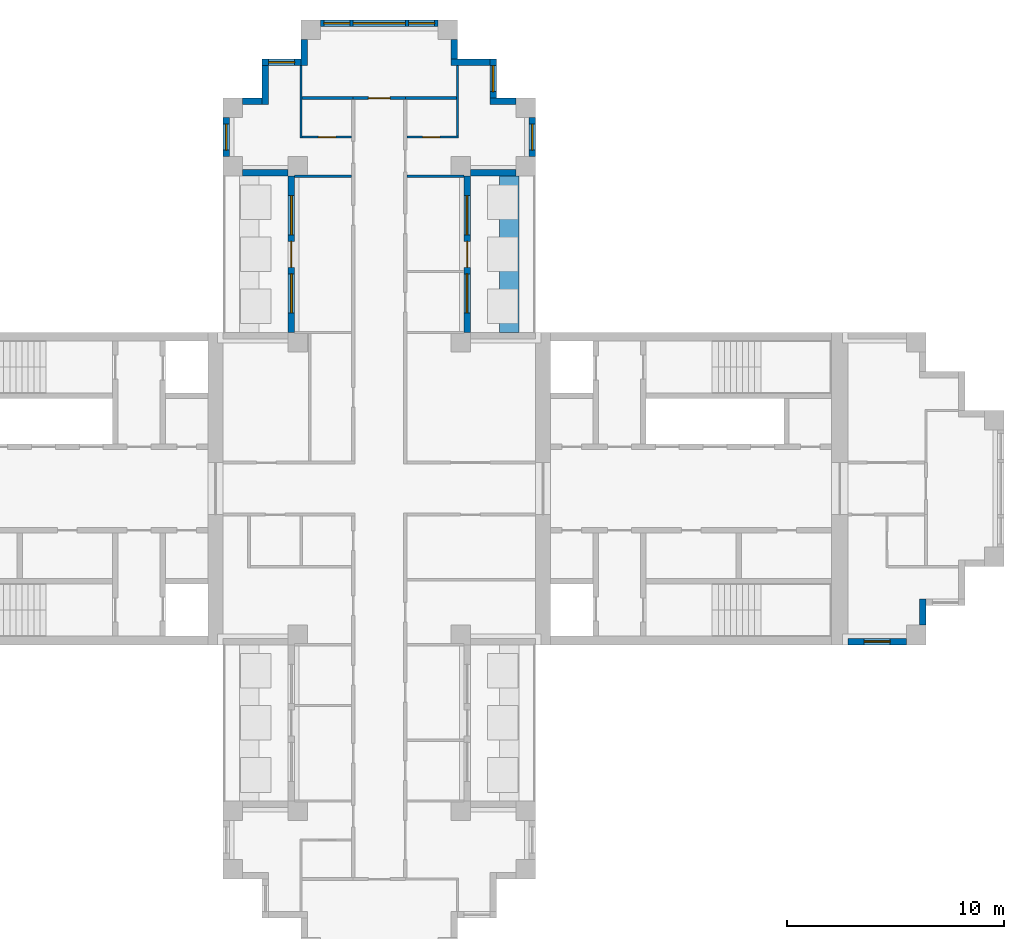
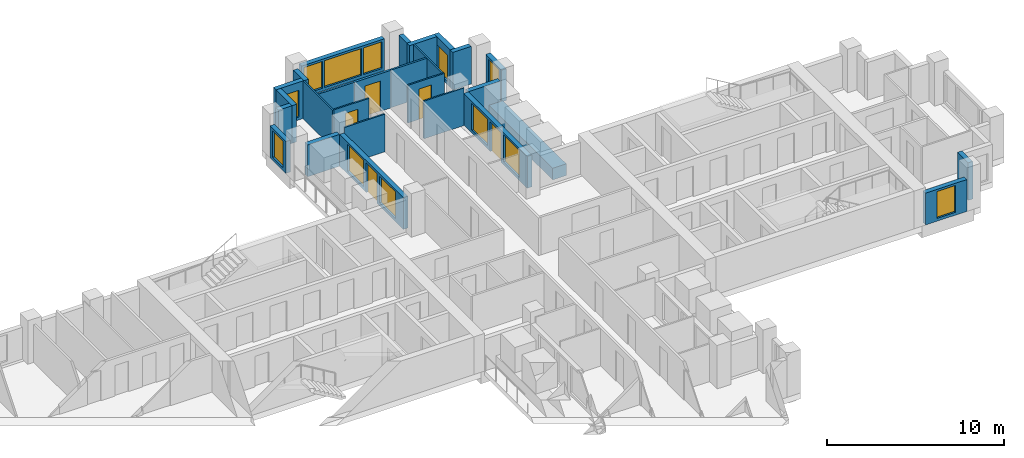
# One storey, part 7 of 11: 27 walls, 12 windows, 5 doors, 17 openings.
"""IFC4 building model written with IfcOpenShell, lengths in metres."""

from ifc_helpers import new_model, si_unit, direction, frame, frame_2d, origin, place, context, subcontext, project, spatial, rectangle, extrude, material, layer, layer_set, type_object, element, fill, save


model = new_model("IFC4")

# Units and contexts
model_context = context("Model", 3, precision=1e-05, world=origin(), true_north=direction((0.0, 1.0)))
body_context = subcontext(model_context, "Body", "Model", "MODEL_VIEW")
ifc_project = project(units=[si_unit("LENGTHUNIT", "METRE"), si_unit("AREAUNIT", "SQUARE_METRE"), si_unit("VOLUMEUNIT", "CUBIC_METRE"), si_unit("PLANEANGLEUNIT", "RADIAN"), si_unit("MASSUNIT", "GRAM", prefix="KILO")], contexts=[model_context])

# Site, building, storey
site_placement = place(None, origin())
site = spatial("IfcSite", under=ifc_project, at=site_placement, CompositionType="ELEMENT")
building_placement = place(site_placement, origin())
building = spatial("IfcBuilding", under=site, at=building_placement, Name="Fustian Cross Tower", CompositionType="ELEMENT")
storey_placement = place(building_placement, frame((0.0, 0.0, 173.699951171875)))
storey = spatial("IfcBuildingStorey", under=building, at=storey_placement, Name="L54", CompositionType="ELEMENT", Elevation=173.699951171875)

# Wall, opening, door
ifc_material_1 = material(Name="Plasterboard on steel stud", Category="steel")
ifc_layer_1 = layer(ifc_material_1, 0.14990234375)
ifc_layer_set_1 = layer_set([ifc_layer_1], Name="Plasterboard on steel stud")
wall_type_1 = type_object("IfcWallType", Name="COMPARTMENT WALL 150 EI 60", PredefinedType="PARTITIONING", material=ifc_layer_set_1)
wall_1_placement = place(storey_placement, frame((-1.199951171875, 18.0, 0.0), z_axis=(0.0, 0.0, 1.0), x_axis=(1.0, 0.0, 0.0)))
wall_1 = element("IfcWall", 1, at=wall_1_placement, inside=storey, type_object=wall_type_1, Name="Partition 33", PredefinedType="PARTITIONING", context=body_context, shape_type="SweptSolid", body=[
    extrude(rectangle(XDim=2.39990234375, YDim=0.14990234375, at=frame_2d((1.199951171875, 0.0))), origin(), (0.0, 0.0, 1.0), 2.60009765625),
])
opening_1_placement = place(wall_1_placement, frame((0.699951171875, 0.0, 0.0)))
opening_1 = element("IfcOpeningElement", 2, at=opening_1_placement, cuts=wall_1, Name="Opening D25013", PredefinedType="OPENING", context=body_context, shape_type="SweptSolid", body=[
    extrude(rectangle(XDim=1.0, YDim=2.10009765625, at=frame_2d((0.5, 1.050048828125))), frame((0.0, 0.0849609375, 0.0), z_axis=(0.0, -1.0, 0.0), x_axis=(1.0, 0.0, 0.0)), (0.0, 0.0, 1.0), 0.169921875),
])
ifc_material_2 = material(Name="Timber fire door set", Category="wood")
door_type_1 = type_object("IfcDoorType", Name="FIRE SWING DOOR 1000 FD30S", OperationType="SINGLE_SWING_LEFT", PredefinedType="DOOR", material=ifc_material_2)
door_1_placement = place(opening_1_placement, origin())
door_1 = element("IfcDoor", 3, at=door_1_placement, inside=storey, type_object=door_type_1, Name="Door D25013", OperationType="SINGLE_SWING_LEFT", OverallHeight=2.10009765625, OverallWidth=1.0, PredefinedType="DOOR", context=body_context, shape_type="SweptSolid", body=[
    extrude(rectangle(XDim=1.0, YDim=2.10009765625, at=frame_2d((0.5, 1.050048828125))), frame((0.0, 0.02490234375, 0.0), z_axis=(0.0, -1.0, 0.0), x_axis=(1.0, 0.0, 0.0)), (0.0, 0.0, 1.0), 0.050048828125),
])
fill(opening_1, door_1)

# Walls
ifc_material_3 = material(Name="Plasterboard on steel stud", Category="steel")
ifc_layer_2 = layer(ifc_material_3, 0.10009765625)
ifc_layer_set_2 = layer_set([ifc_layer_2], Name="Plasterboard on steel stud")
wall_type_2 = type_object("IfcWallType", Name="PARTITION 100 STUD", PredefinedType="PARTITIONING", material=ifc_layer_set_2)
wall_2_placement = place(storey_placement, frame((-3.89990234375, 14.39990234375, 0.0), z_axis=(0.0, 0.0, 1.0), x_axis=(1.0, 0.0, 0.0)))
element("IfcWall", 4, at=wall_2_placement, inside=storey, type_object=wall_type_2, Name="Partition 21", PredefinedType="PARTITIONING", context=body_context, shape_type="SweptSolid", body=[
    extrude(rectangle(XDim=2.625, YDim=0.10009765625, at=frame_2d((1.3125, 0.0))), origin(), (0.0, 0.0, 1.0), 2.60009765625),
])
wall_3_placement = place(storey_placement, frame((-3.60009765625, 16.14990234375, 0.0), z_axis=(0.0, 0.0, 1.0), x_axis=(0.0, 1.0, 0.0)))
element("IfcWall", 5, at=wall_3_placement, inside=storey, type_object=wall_type_2, Name="Partition 26", PredefinedType="PARTITIONING", context=body_context, shape_type="SweptSolid", body=[
    extrude(rectangle(XDim=3.35009765625, YDim=0.10009765625, at=frame_2d((1.675048828125, 0.0))), origin(), (0.0, 0.0, 1.0), 2.60009765625),
])

# Wall, opening, door
wall_4_placement = place(storey_placement, frame((-3.550048828125, 16.199951171875, 0.0), z_axis=(0.0, 0.0, 1.0), x_axis=(1.0, 0.0, 0.0)))
wall_4 = element("IfcWall", 6, at=wall_4_placement, inside=storey, type_object=wall_type_2, Name="Partition 27", PredefinedType="PARTITIONING", context=body_context, shape_type="SweptSolid", body=[
    extrude(rectangle(XDim=2.275146484375, YDim=0.10009765625, at=frame_2d((1.1376953125, 0.0))), origin(), (0.0, 0.0, 1.0), 2.60009765625),
])
opening_2_placement = place(wall_4_placement, frame((0.75, 0.0, 0.0)))
opening_2 = element("IfcOpeningElement", 7, at=opening_2_placement, cuts=wall_4, Name="Opening D25015", PredefinedType="OPENING", context=body_context, shape_type="SweptSolid", body=[
    extrude(rectangle(XDim=0.800048828125, YDim=2.10009765625, at=frame_2d((0.39990234375, 1.050048828125))), frame((0.0, 0.06005859375, 0.0), z_axis=(0.0, -1.0, 0.0), x_axis=(1.0, 0.0, 0.0)), (0.0, 0.0, 1.0), 0.1201171875),
])
ifc_material_4 = material(Name="Painted timber", Category="wood")
door_type_2 = type_object("IfcDoorType", Name="SWING DOOR 800", OperationType="SINGLE_SWING_LEFT", PredefinedType="DOOR", material=ifc_material_4)
door_2_placement = place(opening_2_placement, origin())
door_2 = element("IfcDoor", 8, at=door_2_placement, inside=storey, type_object=door_type_2, Name="Door D25015", OperationType="SINGLE_SWING_LEFT", OverallHeight=2.10009765625, OverallWidth=0.800048828125, PredefinedType="DOOR", context=body_context, shape_type="SweptSolid", body=[
    extrude(rectangle(XDim=0.800048828125, YDim=2.10009765625, at=frame_2d((0.39990234375, 1.050048828125))), frame((0.0, 0.02490234375, 0.0), z_axis=(0.0, -1.0, 0.0), x_axis=(1.0, 0.0, 0.0)), (0.0, 0.0, 1.0), 0.050048828125),
])
fill(opening_2, door_2)

# Wall
wall_5_placement = place(storey_placement, frame((1.27490234375, 14.39990234375, 0.0), z_axis=(0.0, 0.0, 1.0), x_axis=(1.0, 0.0, 0.0)))
element("IfcWall", 9, at=wall_5_placement, inside=storey, type_object=wall_type_2, Name="Partition 45", PredefinedType="PARTITIONING", context=body_context, shape_type="SweptSolid", body=[
    extrude(rectangle(XDim=2.625, YDim=0.10009765625, at=frame_2d((1.3125, 0.0))), origin(), (0.0, 0.0, 1.0), 2.60009765625),
])

# Wall, opening, door
wall_6_placement = place(storey_placement, frame((1.27490234375, 16.199951171875, 0.0), z_axis=(0.0, 0.0, 1.0), x_axis=(1.0, 0.0, 0.0)))
wall_6 = element("IfcWall", 10, at=wall_6_placement, inside=storey, type_object=wall_type_2, Name="Partition 46", PredefinedType="PARTITIONING", context=body_context, shape_type="SweptSolid", body=[
    extrude(rectangle(XDim=2.375, YDim=0.10009765625, at=frame_2d((1.1875, 0.0))), origin(), (0.0, 0.0, 1.0), 2.60009765625),
])
opening_3_placement = place(wall_6_placement, frame((0.72509765625, 0.0, 0.0)))
opening_3 = element("IfcOpeningElement", 11, at=opening_3_placement, cuts=wall_6, Name="Opening D25019", PredefinedType="OPENING", context=body_context, shape_type="SweptSolid", body=[
    extrude(rectangle(XDim=0.800048828125, YDim=2.10009765625, at=frame_2d((0.39990234375, 1.050048828125))), frame((0.0, 0.06005859375, 0.0), z_axis=(0.0, -1.0, 0.0), x_axis=(1.0, 0.0, 0.0)), (0.0, 0.0, 1.0), 0.1201171875),
])
door_3_placement = place(opening_3_placement, origin())
door_3 = element("IfcDoor", 12, at=door_3_placement, inside=storey, type_object=door_type_2, Name="Door D25019", OperationType="SINGLE_SWING_LEFT", OverallHeight=2.10009765625, OverallWidth=0.800048828125, PredefinedType="DOOR", context=body_context, shape_type="SweptSolid", body=[
    extrude(rectangle(XDim=0.800048828125, YDim=2.10009765625, at=frame_2d((0.39990234375, 1.050048828125))), frame((0.0, 0.02490234375, 0.0), z_axis=(0.0, -1.0, 0.0), x_axis=(1.0, 0.0, 0.0)), (0.0, 0.0, 1.0), 0.050048828125),
])
fill(opening_3, door_3)

# Walls
wall_7_placement = place(storey_placement, frame((3.60009765625, 16.25, 0.0), z_axis=(0.0, 0.0, 1.0), x_axis=(0.0, 1.0, 0.0)))
element("IfcWall", 13, at=wall_7_placement, inside=storey, type_object=wall_type_2, Name="Partition 49", PredefinedType="PARTITIONING", context=body_context, shape_type="SweptSolid", body=[
    extrude(rectangle(XDim=3.25, YDim=0.10009765625, at=frame_2d((1.625, 0.0))), origin(), (0.0, 0.0, 1.0), 2.60009765625),
])
ifc_material_5 = material(Name="Concrete C40/50", Category="concrete")
ifc_layer_3 = layer(ifc_material_5, 0.89990234375)
ifc_layer_set_3 = layer_set([ifc_layer_3], Name="Concrete C40/50")
wall_type_3 = type_object("IfcWallType", Name="PK1 PLANTER 900", PredefinedType="PARAPET", material=ifc_layer_set_3)
wall_8_placement = place(storey_placement, frame((6.0, 7.199951171875, 0.0), z_axis=(0.0, 0.0, 1.0), x_axis=(0.0, 1.0, 0.0)))
element("IfcWall", 14, at=wall_8_placement, inside=storey, type_object=wall_type_3, Name="PLANTER", PredefinedType="PARAPET", context=body_context, shape_type="SweptSolid", body=[
    extrude(rectangle(XDim=7.199951171875, YDim=0.89990234375, at=frame_2d((3.60009765625, 0.0))), origin(), (0.0, 0.0, 1.0), 0.800048828125),
])
ifc_material_6 = material(Name="Plasterboard on steel stud", Category="steel")
ifc_layer_4 = layer(ifc_material_6, 0.125)
ifc_layer_set_4 = layer_set([ifc_layer_4], Name="Plasterboard on steel stud")
wall_type_4 = type_object("IfcWallType", Name="WET WALL 125 STUD", PredefinedType="PARTITIONING", material=ifc_layer_set_4)
for number, where, z_axis, x_axis, name in (
    (15, (-3.550048828125, 18.0, 0.0), (0.0, 0.0, 1.0), (1.0, 0.0, 0.0), "Partition 28"),
    (16, (1.199951171875, 18.0, 0.0), (0.0, 0.0, 1.0), (1.0, 0.0, 0.0), "Partition 47"),
):
    element("IfcWall", number, at=place(storey_placement, frame(where, z_axis=z_axis, x_axis=x_axis)), inside=storey, type_object=wall_type_4, Name=name, PredefinedType="PARTITIONING", context=body_context, shape_type="SweptSolid", body=[
        extrude(rectangle(XDim=2.35009765625, YDim=0.125, at=frame_2d((1.175048828125, 0.0))), origin(), (0.0, 0.0, 1.0), 2.60009765625),
    ])

# Wall, opening, window
ifc_material_7 = material(Name="Dark aluminium cladding on insulated backing wall", Category="aluminium")
ifc_layer_5 = layer(ifc_material_7, 0.300048828125)
ifc_layer_set_5 = layer_set([ifc_layer_5], Name="Dark aluminium cladding on insulated backing wall")
wall_type_5 = type_object("IfcWallType", Name="XW1 EXTERNAL WALL 300", PredefinedType="SOLIDWALL", material=ifc_layer_set_5)
wall_9_placement = place(storey_placement, frame((21.60009765625, -7.050048828125, 0.0), z_axis=(0.0, 0.0, 1.0), x_axis=(1.0, 0.0, 0.0)))
wall_9 = element("IfcWall", 17, at=wall_9_placement, inside=storey, type_object=wall_type_5, Name="External wall", PredefinedType="SOLIDWALL", context=body_context, shape_type="SweptSolid", body=[
    extrude(rectangle(XDim=2.699951171875, YDim=0.300048828125, at=frame_2d((1.35009765625, 0.0))), origin(), (0.0, 0.0, 1.0), 2.199951171875),
])
opening_4_placement = place(wall_9_placement, frame((0.75, 0.0, 0.199951171875)))
opening_4 = element("IfcOpeningElement", 18, at=opening_4_placement, cuts=wall_9, Name="Opening WN3", PredefinedType="OPENING", context=body_context, shape_type="SweptSolid", body=[
    extrude(rectangle(XDim=1.199951171875, YDim=1.85009765625, at=frame_2d((0.60009765625, 0.925048828125))), frame((0.0, 0.159912109375, 0.0), z_axis=(0.0, -1.0, 0.0), x_axis=(1.0, 0.0, 0.0)), (0.0, 0.0, 1.0), 0.320068359375),
])
ifc_material_8 = material(Name="Dark anodised aluminium and double glazing", Category="aluminium")
window_type_1 = type_object("IfcWindowType", Name="WN3 WINDOW 1200X1850", PartitioningType="SINGLE_PANEL", PredefinedType="WINDOW", material=ifc_material_8)
window_1_placement = place(opening_4_placement, origin())
window_1 = element("IfcWindow", 19, at=window_1_placement, inside=storey, type_object=window_type_1, Name="Window", OverallHeight=1.85009765625, OverallWidth=1.199951171875, PartitioningType="SINGLE_PANEL", PredefinedType="WINDOW", context=body_context, shape_type="SweptSolid", body=[
    extrude(rectangle(XDim=1.199951171875, YDim=1.85009765625, at=frame_2d((0.60009765625, 0.925048828125))), frame((0.0, 0.030029296875, 0.0), z_axis=(0.0, -1.0, 0.0), x_axis=(1.0, 0.0, 0.0)), (0.0, 0.0, 1.0), 0.06005859375),
])
fill(opening_4, window_1)

# Wall
wall_10_placement = place(storey_placement, frame((25.050048828125, -6.300048828125, 0.0), z_axis=(0.0, 0.0, 1.0), x_axis=(0.0, 1.0, 0.0)))
element("IfcWall", 20, at=wall_10_placement, inside=storey, type_object=wall_type_5, Name="External wall", PredefinedType="SOLIDWALL", context=body_context, shape_type="SweptSolid", body=[
    extrude(rectangle(XDim=1.199951171875, YDim=0.300048828125, at=frame_2d((0.60009765625, 0.0))), origin(), (0.0, 0.0, 1.0), 2.60009765625),
])

# Wall, openings, door, windows
wall_11_placement = place(storey_placement, frame((4.050048828125, 7.199951171875, 0.0), z_axis=(0.0, 0.0, 1.0), x_axis=(0.0, 1.0, 0.0)))
wall_11 = element("IfcWall", 21, at=wall_11_placement, inside=storey, type_object=wall_type_5, Name="External wall", PredefinedType="SOLIDWALL", context=body_context, shape_type="SweptSolid", body=[
    extrude(rectangle(XDim=7.199951171875, YDim=0.300048828125, at=frame_2d((3.60009765625, 0.0))), origin(), (0.0, 0.0, 1.0), 2.199951171875),
])
opening_5_placement = place(wall_11_placement, frame((3.0, 0.0, 0.0)))
opening_5 = element("IfcOpeningElement", 22, at=opening_5_placement, cuts=wall_11, Name="Opening XD1", PredefinedType="OPENING", context=body_context, shape_type="SweptSolid", body=[
    extrude(rectangle(XDim=1.199951171875, YDim=2.050048828125, at=frame_2d((0.60009765625, 1.02490234375))), frame((0.0, 0.159912109375, 0.0), z_axis=(0.0, -1.0, 0.0), x_axis=(1.0, 0.0, 0.0)), (0.0, 0.0, 1.0), 0.320068359375),
])
opening_6_placement = place(wall_11_placement, frame((0.89990234375, 0.0, 0.199951171875)))
opening_6 = element("IfcOpeningElement", 23, at=opening_6_placement, cuts=wall_11, Name="Opening WN2", PredefinedType="OPENING", context=body_context, shape_type="SweptSolid", body=[
    extrude(rectangle(XDim=1.800048828125, YDim=1.85009765625, at=frame_2d((0.89990234375, 0.925048828125))), frame((0.0, 0.159912109375, 0.0), z_axis=(0.0, -1.0, 0.0), x_axis=(1.0, 0.0, 0.0)), (0.0, 0.0, 1.0), 0.320068359375),
])
opening_7_placement = place(wall_11_placement, frame((4.5, 0.0, 0.199951171875)))
opening_7 = element("IfcOpeningElement", 24, at=opening_7_placement, cuts=wall_11, Name="Opening WN2", PredefinedType="OPENING", context=body_context, shape_type="SweptSolid", body=[
    extrude(rectangle(XDim=1.800048828125, YDim=1.85009765625, at=frame_2d((0.89990234375, 0.925048828125))), frame((0.0, 0.159912109375, 0.0), z_axis=(0.0, -1.0, 0.0), x_axis=(1.0, 0.0, 0.0)), (0.0, 0.0, 1.0), 0.320068359375),
])
ifc_material_9 = material(Name="Dark anodised aluminium and double glazing", Category="aluminium")
door_type_3 = type_object("IfcDoorType", Name="ED1 BALCONY DOOR 1200X2050", OperationType="SINGLE_SWING_LEFT", PredefinedType="DOOR", material=ifc_material_9)
door_4_placement = place(opening_5_placement, origin())
door_4 = element("IfcDoor", 25, at=door_4_placement, inside=storey, type_object=door_type_3, Name="Balcony door", OperationType="SINGLE_SWING_LEFT", OverallHeight=2.050048828125, OverallWidth=1.199951171875, PredefinedType="DOOR", context=body_context, shape_type="SweptSolid", body=[
    extrude(rectangle(XDim=1.199951171875, YDim=2.050048828125, at=frame_2d((0.60009765625, 1.02490234375))), frame((0.0, 0.02490234375, 0.0), z_axis=(0.0, -1.0, 0.0), x_axis=(1.0, 0.0, 0.0)), (0.0, 0.0, 1.0), 0.050048828125),
])
fill(opening_5, door_4)
ifc_material_10 = material(Name="Dark anodised aluminium and double glazing", Category="aluminium")
window_type_2 = type_object("IfcWindowType", Name="WN2 WINDOW 1800X1850", PartitioningType="SINGLE_PANEL", PredefinedType="WINDOW", material=ifc_material_10)
window_2_placement = place(opening_6_placement, origin())
window_2 = element("IfcWindow", 26, at=window_2_placement, inside=storey, type_object=window_type_2, Name="Window", OverallHeight=1.85009765625, OverallWidth=1.800048828125, PartitioningType="SINGLE_PANEL", PredefinedType="WINDOW", context=body_context, shape_type="SweptSolid", body=[
    extrude(rectangle(XDim=1.800048828125, YDim=1.85009765625, at=frame_2d((0.89990234375, 0.925048828125))), frame((0.0, 0.030029296875, 0.0), z_axis=(0.0, -1.0, 0.0), x_axis=(1.0, 0.0, 0.0)), (0.0, 0.0, 1.0), 0.06005859375),
])
fill(opening_6, window_2)
window_3_placement = place(opening_7_placement, origin())
window_3 = element("IfcWindow", 27, at=window_3_placement, inside=storey, type_object=window_type_2, Name="Window", OverallHeight=1.85009765625, OverallWidth=1.800048828125, PartitioningType="SINGLE_PANEL", PredefinedType="WINDOW", context=body_context, shape_type="SweptSolid", body=[
    extrude(rectangle(XDim=1.800048828125, YDim=1.85009765625, at=frame_2d((0.89990234375, 0.925048828125))), frame((0.0, 0.030029296875, 0.0), z_axis=(0.0, -1.0, 0.0), x_axis=(1.0, 0.0, 0.0)), (0.0, 0.0, 1.0), 0.06005859375),
])
fill(opening_7, window_3)

# Wall
wall_12_placement = place(storey_placement, frame((4.199951171875, 14.550048828125, 0.0), z_axis=(0.0, 0.0, 1.0), x_axis=(1.0, 0.0, 0.0)))
element("IfcWall", 28, at=wall_12_placement, inside=storey, type_object=wall_type_5, Name="External wall", PredefinedType="SOLIDWALL", context=body_context, shape_type="SweptSolid", body=[
    extrude(rectangle(XDim=2.10009765625, YDim=0.300048828125, at=frame_2d((1.050048828125, 0.0))), origin(), (0.0, 0.0, 1.0), 2.199951171875),
])

# Wall, opening, window
wall_13_placement = place(storey_placement, frame((7.050048828125, 15.300048828125, 0.0), z_axis=(0.0, 0.0, 1.0), x_axis=(0.0, 1.0, 0.0)))
wall_13 = element("IfcWall", 29, at=wall_13_placement, inside=storey, type_object=wall_type_5, Name="External wall", PredefinedType="SOLIDWALL", context=body_context, shape_type="SweptSolid", body=[
    extrude(rectangle(XDim=1.800048828125, YDim=0.300048828125, at=frame_2d((0.89990234375, 0.0))), origin(), (0.0, 0.0, 1.0), 2.199951171875),
])
opening_8_placement = place(wall_13_placement, frame((0.300048828125, 0.0, 0.199951171875)))
opening_8 = element("IfcOpeningElement", 30, at=opening_8_placement, cuts=wall_13, Name="Opening WN3", PredefinedType="OPENING", context=body_context, shape_type="SweptSolid", body=[
    extrude(rectangle(XDim=1.199951171875, YDim=1.85009765625, at=frame_2d((0.60009765625, 0.925048828125))), frame((0.0, 0.159912109375, 0.0), z_axis=(0.0, -1.0, 0.0), x_axis=(1.0, 0.0, 0.0)), (0.0, 0.0, 1.0), 0.320068359375),
])
window_4_placement = place(opening_8_placement, origin())
window_4 = element("IfcWindow", 31, at=window_4_placement, inside=storey, type_object=window_type_1, Name="Window", OverallHeight=1.85009765625, OverallWidth=1.199951171875, PartitioningType="SINGLE_PANEL", PredefinedType="WINDOW", context=body_context, shape_type="SweptSolid", body=[
    extrude(rectangle(XDim=1.199951171875, YDim=1.85009765625, at=frame_2d((0.60009765625, 0.925048828125))), frame((0.0, 0.030029296875, 0.0), z_axis=(0.0, -1.0, 0.0), x_axis=(1.0, 0.0, 0.0)), (0.0, 0.0, 1.0), 0.06005859375),
])
fill(opening_8, window_4)

# Wall
wall_14_placement = place(storey_placement, frame((6.300048828125, 17.85009765625, 0.0), z_axis=(0.0, 0.0, 1.0), x_axis=(-1.0, 0.0, 0.0)))
element("IfcWall", 32, at=wall_14_placement, inside=storey, type_object=wall_type_5, Name="External wall", PredefinedType="SOLIDWALL", context=body_context, shape_type="SweptSolid", body=[
    extrude(rectangle(XDim=1.199951171875, YDim=0.300048828125, at=frame_2d((0.60009765625, 0.0))), origin(), (0.0, 0.0, 1.0), 2.60009765625),
])

# Wall, opening, window
wall_15_placement = place(storey_placement, frame((5.25, 18.0, 0.0), z_axis=(0.0, 0.0, 1.0), x_axis=(0.0, 1.0, 0.0)))
wall_15 = element("IfcWall", 33, at=wall_15_placement, inside=storey, type_object=wall_type_5, Name="External wall", PredefinedType="SOLIDWALL", context=body_context, shape_type="SweptSolid", body=[
    extrude(rectangle(XDim=1.800048828125, YDim=0.300048828125, at=frame_2d((0.89990234375, 0.0))), origin(), (0.0, 0.0, 1.0), 2.60009765625),
])
opening_9_placement = place(wall_15_placement, frame((0.300048828125, 0.0, 0.199951171875)))
opening_9 = element("IfcOpeningElement", 34, at=opening_9_placement, cuts=wall_15, Name="Opening WN3", PredefinedType="OPENING", context=body_context, shape_type="SweptSolid", body=[
    extrude(rectangle(XDim=1.199951171875, YDim=1.85009765625, at=frame_2d((0.60009765625, 0.925048828125))), frame((0.0, 0.159912109375, 0.0), z_axis=(0.0, -1.0, 0.0), x_axis=(1.0, 0.0, 0.0)), (0.0, 0.0, 1.0), 0.320068359375),
])
window_5_placement = place(opening_9_placement, origin())
window_5 = element("IfcWindow", 35, at=window_5_placement, inside=storey, type_object=window_type_1, Name="Window", OverallHeight=1.85009765625, OverallWidth=1.199951171875, PartitioningType="SINGLE_PANEL", PredefinedType="WINDOW", context=body_context, shape_type="SweptSolid", body=[
    extrude(rectangle(XDim=1.199951171875, YDim=1.85009765625, at=frame_2d((0.60009765625, 0.925048828125))), frame((0.0, 0.030029296875, 0.0), z_axis=(0.0, -1.0, 0.0), x_axis=(1.0, 0.0, 0.0)), (0.0, 0.0, 1.0), 0.06005859375),
])
fill(opening_9, window_5)

# Walls
wall_16_placement = place(storey_placement, frame((5.10009765625, 19.64990234375, 0.0), z_axis=(0.0, 0.0, 1.0), x_axis=(-1.0, 0.0, 0.0)))
element("IfcWall", 36, at=wall_16_placement, inside=storey, type_object=wall_type_5, Name="External wall", PredefinedType="SOLIDWALL", context=body_context, shape_type="SweptSolid", body=[
    extrude(rectangle(XDim=1.800048828125, YDim=0.300048828125, at=frame_2d((0.89990234375, 0.0))), origin(), (0.0, 0.0, 1.0), 2.60009765625),
])
wall_17_placement = place(storey_placement, frame((3.449951171875, 19.800048828125, 0.0), z_axis=(0.0, 0.0, 1.0), x_axis=(0.0, 1.0, 0.0)))
element("IfcWall", 37, at=wall_17_placement, inside=storey, type_object=wall_type_5, Name="External wall", PredefinedType="SOLIDWALL", context=body_context, shape_type="SweptSolid", body=[
    extrude(rectangle(XDim=0.89990234375, YDim=0.300048828125, at=frame_2d((0.449951171875, 0.0))), origin(), (0.0, 0.0, 1.0), 2.60009765625),
])

# Wall, openings, windows
wall_18_placement = place(storey_placement, frame((2.699951171875, 21.449951171875, 0.0), z_axis=(0.0, 0.0, 1.0), x_axis=(-1.0, 0.0, 0.0)))
wall_18 = element("IfcWall", 38, at=wall_18_placement, inside=storey, type_object=wall_type_5, Name="External wall", PredefinedType="SOLIDWALL", context=body_context, shape_type="SweptSolid", body=[
    extrude(rectangle(XDim=5.39990234375, YDim=0.300048828125, at=frame_2d((2.699951171875, 0.0))), origin(), (0.0, 0.0, 1.0), 2.199951171875),
])
opening_10_placement = place(wall_18_placement, frame((1.5, 0.0, 0.199951171875)))
opening_10 = element("IfcOpeningElement", 39, at=opening_10_placement, cuts=wall_18, Name="Opening WN1", PredefinedType="OPENING", context=body_context, shape_type="SweptSolid", body=[
    extrude(rectangle(XDim=2.39990234375, YDim=1.85009765625, at=frame_2d((1.199951171875, 0.925048828125))), frame((0.0, 0.159912109375, 0.0), z_axis=(0.0, -1.0, 0.0), x_axis=(1.0, 0.0, 0.0)), (0.0, 0.0, 1.0), 0.320068359375),
])
opening_11_placement = place(wall_18_placement, frame((0.14990234375, 0.0, 0.199951171875)))
opening_11 = element("IfcOpeningElement", 40, at=opening_11_placement, cuts=wall_18, Name="Opening WN3", PredefinedType="OPENING", context=body_context, shape_type="SweptSolid", body=[
    extrude(rectangle(XDim=1.199951171875, YDim=1.85009765625, at=frame_2d((0.60009765625, 0.925048828125))), frame((0.0, 0.159912109375, 0.0), z_axis=(0.0, -1.0, 0.0), x_axis=(1.0, 0.0, 0.0)), (0.0, 0.0, 1.0), 0.320068359375),
])
opening_12_placement = place(wall_18_placement, frame((4.050048828125, 0.0, 0.199951171875)))
opening_12 = element("IfcOpeningElement", 41, at=opening_12_placement, cuts=wall_18, Name="Opening WN3", PredefinedType="OPENING", context=body_context, shape_type="SweptSolid", body=[
    extrude(rectangle(XDim=1.199951171875, YDim=1.85009765625, at=frame_2d((0.60009765625, 0.925048828125))), frame((0.0, 0.159912109375, 0.0), z_axis=(0.0, -1.0, 0.0), x_axis=(1.0, 0.0, 0.0)), (0.0, 0.0, 1.0), 0.320068359375),
])
ifc_material_11 = material(Name="Dark anodised aluminium and double glazing", Category="aluminium")
window_type_3 = type_object("IfcWindowType", Name="WN1 WINDOW 2400X1850", PartitioningType="SINGLE_PANEL", PredefinedType="WINDOW", material=ifc_material_11)
window_6_placement = place(opening_10_placement, origin())
window_6 = element("IfcWindow", 42, at=window_6_placement, inside=storey, type_object=window_type_3, Name="Window", OverallHeight=1.85009765625, OverallWidth=2.39990234375, PartitioningType="SINGLE_PANEL", PredefinedType="WINDOW", context=body_context, shape_type="SweptSolid", body=[
    extrude(rectangle(XDim=2.39990234375, YDim=1.85009765625, at=frame_2d((1.199951171875, 0.925048828125))), frame((0.0, 0.030029296875, 0.0), z_axis=(0.0, -1.0, 0.0), x_axis=(1.0, 0.0, 0.0)), (0.0, 0.0, 1.0), 0.06005859375),
])
fill(opening_10, window_6)
window_7_placement = place(opening_11_placement, origin())
window_7 = element("IfcWindow", 43, at=window_7_placement, inside=storey, type_object=window_type_1, Name="Window", OverallHeight=1.85009765625, OverallWidth=1.199951171875, PartitioningType="SINGLE_PANEL", PredefinedType="WINDOW", context=body_context, shape_type="SweptSolid", body=[
    extrude(rectangle(XDim=1.199951171875, YDim=1.85009765625, at=frame_2d((0.60009765625, 0.925048828125))), frame((0.0, 0.030029296875, 0.0), z_axis=(0.0, -1.0, 0.0), x_axis=(1.0, 0.0, 0.0)), (0.0, 0.0, 1.0), 0.06005859375),
])
fill(opening_11, window_7)
window_8_placement = place(opening_12_placement, origin())
window_8 = element("IfcWindow", 44, at=window_8_placement, inside=storey, type_object=window_type_1, Name="Window", OverallHeight=1.85009765625, OverallWidth=1.199951171875, PartitioningType="SINGLE_PANEL", PredefinedType="WINDOW", context=body_context, shape_type="SweptSolid", body=[
    extrude(rectangle(XDim=1.199951171875, YDim=1.85009765625, at=frame_2d((0.60009765625, 0.925048828125))), frame((0.0, 0.030029296875, 0.0), z_axis=(0.0, -1.0, 0.0), x_axis=(1.0, 0.0, 0.0)), (0.0, 0.0, 1.0), 0.06005859375),
])
fill(opening_12, window_8)

# Wall
wall_19_placement = place(storey_placement, frame((-3.449951171875, 20.699951171875, 0.0), z_axis=(0.0, 0.0, 1.0), x_axis=(0.0, -1.0, 0.0)))
element("IfcWall", 45, at=wall_19_placement, inside=storey, type_object=wall_type_5, Name="External wall", PredefinedType="SOLIDWALL", context=body_context, shape_type="SweptSolid", body=[
    extrude(rectangle(XDim=1.199951171875, YDim=0.300048828125, at=frame_2d((0.60009765625, 0.0))), origin(), (0.0, 0.0, 1.0), 2.60009765625),
])

# Wall, opening, window
wall_20_placement = place(storey_placement, frame((-3.60009765625, 19.64990234375, 0.0), z_axis=(0.0, 0.0, 1.0), x_axis=(-1.0, 0.0, 0.0)))
wall_20 = element("IfcWall", 46, at=wall_20_placement, inside=storey, type_object=wall_type_5, Name="External wall", PredefinedType="SOLIDWALL", context=body_context, shape_type="SweptSolid", body=[
    extrude(rectangle(XDim=1.7998046875, YDim=0.300048828125, at=frame_2d((0.89990234375, 0.0))), origin(), (0.0, 0.0, 1.0), 2.60009765625),
])
opening_13_placement = place(wall_20_placement, frame((0.300048828125, 0.0, 0.199951171875)))
opening_13 = element("IfcOpeningElement", 47, at=opening_13_placement, cuts=wall_20, Name="Opening WN3", PredefinedType="OPENING", context=body_context, shape_type="SweptSolid", body=[
    extrude(rectangle(XDim=1.199951171875, YDim=1.85009765625, at=frame_2d((0.60009765625, 0.925048828125))), frame((0.0, 0.159912109375, 0.0), z_axis=(0.0, -1.0, 0.0), x_axis=(1.0, 0.0, 0.0)), (0.0, 0.0, 1.0), 0.320068359375),
])
window_9_placement = place(opening_13_placement, origin())
window_9 = element("IfcWindow", 48, at=window_9_placement, inside=storey, type_object=window_type_1, Name="Window", OverallHeight=1.85009765625, OverallWidth=1.199951171875, PartitioningType="SINGLE_PANEL", PredefinedType="WINDOW", context=body_context, shape_type="SweptSolid", body=[
    extrude(rectangle(XDim=1.199951171875, YDim=1.85009765625, at=frame_2d((0.60009765625, 0.925048828125))), frame((0.0, 0.030029296875, 0.0), z_axis=(0.0, -1.0, 0.0), x_axis=(1.0, 0.0, 0.0)), (0.0, 0.0, 1.0), 0.06005859375),
])
fill(opening_13, window_9)

# Walls
wall_21_placement = place(storey_placement, frame((-5.25, 19.5, 0.0), z_axis=(0.0, 0.0, 1.0), x_axis=(0.0, -1.0, 0.0)))
element("IfcWall", 49, at=wall_21_placement, inside=storey, type_object=wall_type_5, Name="External wall", PredefinedType="SOLIDWALL", context=body_context, shape_type="SweptSolid", body=[
    extrude(rectangle(XDim=1.800048828125, YDim=0.300048828125, at=frame_2d((0.89990234375, 0.0))), origin(), (0.0, 0.0, 1.0), 2.60009765625),
])
wall_22_placement = place(storey_placement, frame((-5.39990234375, 17.85009765625, 0.0), z_axis=(0.0, 0.0, 1.0), x_axis=(-1.0, 0.0, 0.0)))
element("IfcWall", 50, at=wall_22_placement, inside=storey, type_object=wall_type_5, Name="External wall", PredefinedType="SOLIDWALL", context=body_context, shape_type="SweptSolid", body=[
    extrude(rectangle(XDim=0.900146484375, YDim=0.300048828125, at=frame_2d((0.4501953125, 0.0))), origin(), (0.0, 0.0, 1.0), 2.60009765625),
])

# Wall, opening, window
wall_23_placement = place(storey_placement, frame((-7.050048828125, 17.10009765625, 0.0), z_axis=(0.0, 0.0, 1.0), x_axis=(0.0, -1.0, 0.0)))
wall_23 = element("IfcWall", 51, at=wall_23_placement, inside=storey, type_object=wall_type_5, Name="External wall", PredefinedType="SOLIDWALL", context=body_context, shape_type="SweptSolid", body=[
    extrude(rectangle(XDim=1.800048828125, YDim=0.300048828125, at=frame_2d((0.89990234375, 0.0))), origin(), (0.0, 0.0, 1.0), 2.199951171875),
])
opening_14_placement = place(wall_23_placement, frame((0.300048828125, 0.0, 0.199951171875)))
opening_14 = element("IfcOpeningElement", 52, at=opening_14_placement, cuts=wall_23, Name="Opening WN3", PredefinedType="OPENING", context=body_context, shape_type="SweptSolid", body=[
    extrude(rectangle(XDim=1.199951171875, YDim=1.85009765625, at=frame_2d((0.60009765625, 0.925048828125))), frame((0.0, 0.159912109375, 0.0), z_axis=(0.0, -1.0, 0.0), x_axis=(1.0, 0.0, 0.0)), (0.0, 0.0, 1.0), 0.320068359375),
])
window_10_placement = place(opening_14_placement, origin())
window_10 = element("IfcWindow", 53, at=window_10_placement, inside=storey, type_object=window_type_1, Name="Window", OverallHeight=1.85009765625, OverallWidth=1.199951171875, PartitioningType="SINGLE_PANEL", PredefinedType="WINDOW", context=body_context, shape_type="SweptSolid", body=[
    extrude(rectangle(XDim=1.199951171875, YDim=1.85009765625, at=frame_2d((0.60009765625, 0.925048828125))), frame((0.0, 0.030029296875, 0.0), z_axis=(0.0, -1.0, 0.0), x_axis=(1.0, 0.0, 0.0)), (0.0, 0.0, 1.0), 0.06005859375),
])
fill(opening_14, window_10)

# Wall
wall_24_placement = place(storey_placement, frame((-6.300048828125, 14.550048828125, 0.0), z_axis=(0.0, 0.0, 1.0), x_axis=(1.0, 0.0, 0.0)))
element("IfcWall", 54, at=wall_24_placement, inside=storey, type_object=wall_type_5, Name="External wall", PredefinedType="SOLIDWALL", context=body_context, shape_type="SweptSolid", body=[
    extrude(rectangle(XDim=2.10009765625, YDim=0.300048828125, at=frame_2d((1.050048828125, 0.0))), origin(), (0.0, 0.0, 1.0), 2.199951171875),
])

# Wall, openings, door, windows
wall_25_placement = place(storey_placement, frame((-4.050048828125, 14.39990234375, 0.0), z_axis=(0.0, 0.0, 1.0), x_axis=(0.0, -1.0, 0.0)))
wall_25 = element("IfcWall", 55, at=wall_25_placement, inside=storey, type_object=wall_type_5, Name="External wall", PredefinedType="SOLIDWALL", context=body_context, shape_type="SweptSolid", body=[
    extrude(rectangle(XDim=7.199951171875, YDim=0.300048828125, at=frame_2d((3.60009765625, 0.0))), origin(), (0.0, 0.0, 1.0), 2.199951171875),
])
opening_15_placement = place(wall_25_placement, frame((3.0, 0.0, 0.0)))
opening_15 = element("IfcOpeningElement", 56, at=opening_15_placement, cuts=wall_25, Name="Opening XD2", PredefinedType="OPENING", context=body_context, shape_type="SweptSolid", body=[
    extrude(rectangle(XDim=1.199951171875, YDim=2.050048828125, at=frame_2d((0.60009765625, 1.02490234375))), frame((0.0, 0.159912109375, 0.0), z_axis=(0.0, -1.0, 0.0), x_axis=(1.0, 0.0, 0.0)), (0.0, 0.0, 1.0), 0.320068359375),
])
opening_16_placement = place(wall_25_placement, frame((0.89990234375, 0.0, 0.199951171875)))
opening_16 = element("IfcOpeningElement", 57, at=opening_16_placement, cuts=wall_25, Name="Opening WN2", PredefinedType="OPENING", context=body_context, shape_type="SweptSolid", body=[
    extrude(rectangle(XDim=1.800048828125, YDim=1.85009765625, at=frame_2d((0.89990234375, 0.925048828125))), frame((0.0, 0.159912109375, 0.0), z_axis=(0.0, -1.0, 0.0), x_axis=(1.0, 0.0, 0.0)), (0.0, 0.0, 1.0), 0.320068359375),
])
opening_17_placement = place(wall_25_placement, frame((4.5, 0.0, 0.199951171875)))
opening_17 = element("IfcOpeningElement", 58, at=opening_17_placement, cuts=wall_25, Name="Opening WN2", PredefinedType="OPENING", context=body_context, shape_type="SweptSolid", body=[
    extrude(rectangle(XDim=1.800048828125, YDim=1.85009765625, at=frame_2d((0.89990234375, 0.925048828125))), frame((0.0, 0.159912109375, 0.0), z_axis=(0.0, -1.0, 0.0), x_axis=(1.0, 0.0, 0.0)), (0.0, 0.0, 1.0), 0.320068359375),
])
door_5_placement = place(opening_15_placement, origin())
door_5 = element("IfcDoor", 59, at=door_5_placement, inside=storey, type_object=door_type_3, Name="Balcony door", OperationType="SINGLE_SWING_LEFT", OverallHeight=2.050048828125, OverallWidth=1.199951171875, PredefinedType="DOOR", context=body_context, shape_type="SweptSolid", body=[
    extrude(rectangle(XDim=1.199951171875, YDim=2.050048828125, at=frame_2d((0.60009765625, 1.02490234375))), frame((0.0, 0.02490234375, 0.0), z_axis=(0.0, -1.0, 0.0), x_axis=(1.0, 0.0, 0.0)), (0.0, 0.0, 1.0), 0.050048828125),
])
fill(opening_15, door_5)
window_11_placement = place(opening_16_placement, origin())
window_11 = element("IfcWindow", 60, at=window_11_placement, inside=storey, type_object=window_type_2, Name="Window", OverallHeight=1.85009765625, OverallWidth=1.800048828125, PartitioningType="SINGLE_PANEL", PredefinedType="WINDOW", context=body_context, shape_type="SweptSolid", body=[
    extrude(rectangle(XDim=1.800048828125, YDim=1.85009765625, at=frame_2d((0.89990234375, 0.925048828125))), frame((0.0, 0.030029296875, 0.0), z_axis=(0.0, -1.0, 0.0), x_axis=(1.0, 0.0, 0.0)), (0.0, 0.0, 1.0), 0.06005859375),
])
fill(opening_16, window_11)
window_12_placement = place(opening_17_placement, origin())
window_12 = element("IfcWindow", 61, at=window_12_placement, inside=storey, type_object=window_type_2, Name="Window", OverallHeight=1.85009765625, OverallWidth=1.800048828125, PartitioningType="SINGLE_PANEL", PredefinedType="WINDOW", context=body_context, shape_type="SweptSolid", body=[
    extrude(rectangle(XDim=1.800048828125, YDim=1.85009765625, at=frame_2d((0.89990234375, 0.925048828125))), frame((0.0, 0.030029296875, 0.0), z_axis=(0.0, -1.0, 0.0), x_axis=(1.0, 0.0, 0.0)), (0.0, 0.0, 1.0), 0.06005859375),
])
fill(opening_17, window_12)

save(model, "model.ifc")
